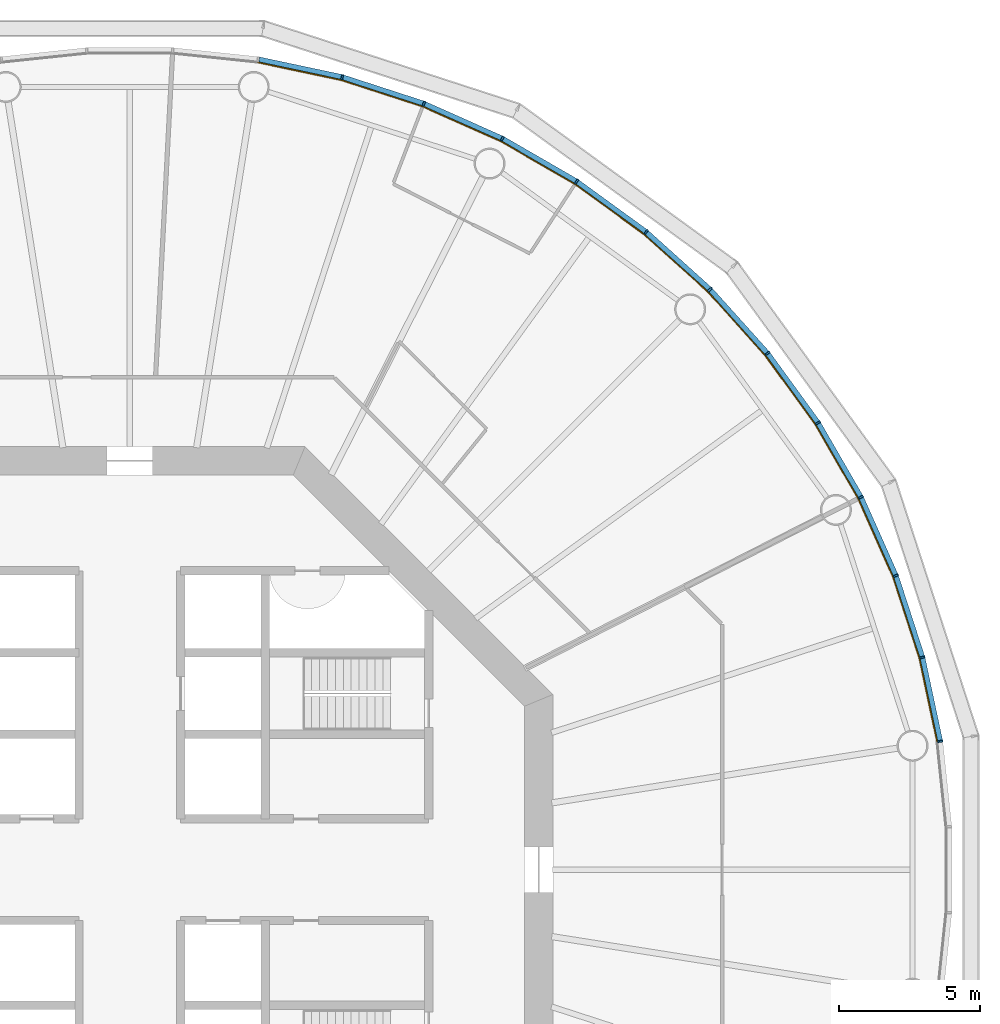
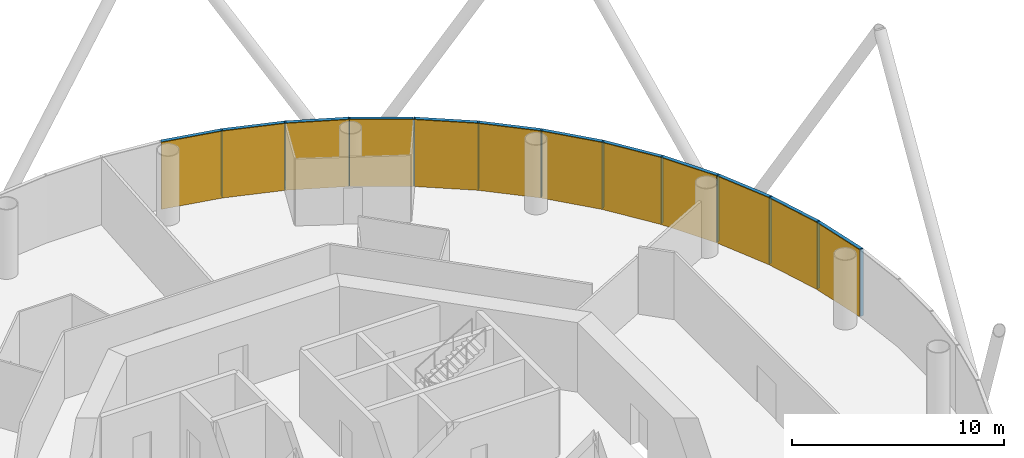
# One storey, part 12 of 13: 24 members, 4 curtain walls.
"""IFC4 building model written with IfcOpenShell, lengths in metres."""

from ifc_helpers import new_model, si_unit, direction, frame, origin, origin_2d, place, context, subcontext, project, spatial, polyline, rectangle, outline, extrude, material, layer, layer_set, material_profile, profile_set, type_object, element, aggregate, save


model = new_model("IFC4")

# Units and contexts
model_context = context("Model", 3, precision=1e-05, world=origin(), true_north=direction((0.0, 1.0)))
body_context = subcontext(model_context, "Body", "Model", "MODEL_VIEW")
ifc_project = project(units=[si_unit("LENGTHUNIT", "METRE"), si_unit("AREAUNIT", "SQUARE_METRE"), si_unit("VOLUMEUNIT", "CUBIC_METRE"), si_unit("PLANEANGLEUNIT", "RADIAN"), si_unit("MASSUNIT", "GRAM", prefix="KILO")], contexts=[model_context])

# Member
ifc_material_1 = material(Name="Anodised aluminium", Category="aluminium")
ifc_material_profile_1 = material_profile(ifc_material_1, rectangle(XDim=0.06494140625, YDim=0.18505859375, at=origin_2d()), Name="Mullion 65 x 185 mm anodised aluminium")
ifc_profile_set_1 = profile_set([ifc_material_profile_1], Name="Anodised aluminium")
member_type_1 = type_object("IfcMemberType", Name="Mullion 65 x 185 mm anodised aluminium", PredefinedType="MULLION", material=ifc_profile_set_1)
site_placement = place(None, origin())
building_placement = place(site_placement, origin())
storey_placement = place(building_placement, frame((0.0, 0.0, 164.0)))
member_1_placement = place(storey_placement, frame((118.734375, 84.551025390625, 0.0), z_axis=(0.0, 0.0, 1.0), x_axis=(-0.15643446504, 0.987688340595, 0.0)))
member_1 = element("IfcMember", 1, at=member_1_placement, type_object=member_type_1, Name="MULLION L37-00", PredefinedType="MULLION", context=body_context, shape_type="SweptSolid", body=[
    extrude(rectangle(XDim=0.06494140625, YDim=0.18505859375, at=origin_2d()), origin(), (0.0, 0.0, 1.0), 3.85009765625),
])

member_2_placement = place(storey_placement, frame((118.101318359375, 87.52978515625, 0.0), z_axis=(0.0, 0.0, 1.0), x_axis=(-0.258819045103, 0.965925826289, 0.0)))
member_2 = element("IfcMember", 2, at=member_2_placement, type_object=member_type_1, Name="MULLION L37-01", PredefinedType="MULLION", context=body_context, shape_type="SweptSolid", body=[
    extrude(rectangle(XDim=0.06494140625, YDim=0.18505859375, at=origin_2d()), origin(), (0.0, 0.0, 1.0), 3.85009765625),
])

member_3_placement = place(storey_placement, frame((117.16015625, 90.42578125, 0.0), z_axis=(0.0, 0.0, 1.0), x_axis=(-0.358367949545, 0.933580426497, 0.0)))
member_3 = element("IfcMember", 3, at=member_3_placement, type_object=member_type_1, Name="MULLION L37-02", PredefinedType="MULLION", context=body_context, shape_type="SweptSolid", body=[
    extrude(rectangle(XDim=0.06494140625, YDim=0.18505859375, at=origin_2d()), origin(), (0.0, 0.0, 1.0), 3.85009765625),
])

member_4_placement = place(storey_placement, frame((115.921630859375, 93.207763671875, 0.0), z_axis=(0.0, 0.0, 1.0), x_axis=(-0.45399049974, 0.891006524188, 0.0)))
member_4 = element("IfcMember", 4, at=member_4_placement, type_object=member_type_1, Name="MULLION L37-03", PredefinedType="MULLION", context=body_context, shape_type="SweptSolid", body=[
    extrude(rectangle(XDim=0.06494140625, YDim=0.18505859375, at=origin_2d()), origin(), (0.0, 0.0, 1.0), 3.85009765625),
])

member_5_placement = place(storey_placement, frame((114.39892578125, 95.844970703125, 0.0), z_axis=(0.0, 0.0, 1.0), x_axis=(-0.544639035015, 0.838670567945, 0.0)))
member_5 = element("IfcMember", 5, at=member_5_placement, type_object=member_type_1, Name="MULLION L37-04", PredefinedType="MULLION", context=body_context, shape_type="SweptSolid", body=[
    extrude(rectangle(XDim=0.06494140625, YDim=0.18505859375, at=origin_2d()), origin(), (0.0, 0.0, 1.0), 3.85009765625),
])

member_6_placement = place(storey_placement, frame((112.609130859375, 98.30859375, 0.0), z_axis=(0.0, 0.0, 1.0), x_axis=(-0.62932039105, 0.777145961457, 0.0)))
member_6 = element("IfcMember", 6, at=member_6_placement, type_object=member_type_1, Name="MULLION L37-05", PredefinedType="MULLION", context=body_context, shape_type="SweptSolid", body=[
    extrude(rectangle(XDim=0.06494140625, YDim=0.18505859375, at=origin_2d()), origin(), (0.0, 0.0, 1.0), 3.85009765625),
])

member_7_placement = place(storey_placement, frame((110.571533203125, 100.571533203125, 0.0), z_axis=(0.0, 0.0, 1.0), x_axis=(-0.707106781187, 0.707106781187, 0.0)))
member_7 = element("IfcMember", 7, at=member_7_placement, type_object=member_type_1, Name="MULLION L37-06", PredefinedType="MULLION", context=body_context, shape_type="SweptSolid", body=[
    extrude(rectangle(XDim=0.06494140625, YDim=0.18505859375, at=origin_2d()), origin(), (0.0, 0.0, 1.0), 3.85009765625),
])

member_8_placement = place(storey_placement, frame((108.30859375, 102.609130859375, 0.0), z_axis=(0.0, 0.0, 1.0), x_axis=(-0.777145961457, 0.62932039105, 0.0)))
member_8 = element("IfcMember", 8, at=member_8_placement, type_object=member_type_1, Name="MULLION L37-07", PredefinedType="MULLION", context=body_context, shape_type="SweptSolid", body=[
    extrude(rectangle(XDim=0.06494140625, YDim=0.18505859375, at=origin_2d()), origin(), (0.0, 0.0, 1.0), 3.85009765625),
])

member_9_placement = place(storey_placement, frame((105.844970703125, 104.39892578125, 0.0), z_axis=(0.0, 0.0, 1.0), x_axis=(-0.838670567945, 0.544639035015, 0.0)))
member_9 = element("IfcMember", 9, at=member_9_placement, type_object=member_type_1, Name="MULLION L37-08", PredefinedType="MULLION", context=body_context, shape_type="SweptSolid", body=[
    extrude(rectangle(XDim=0.06494140625, YDim=0.18505859375, at=origin_2d()), origin(), (0.0, 0.0, 1.0), 3.85009765625),
])

member_10_placement = place(storey_placement, frame((103.207763671875, 105.921630859375, 0.0), z_axis=(0.0, 0.0, 1.0), x_axis=(-0.891006524188, 0.45399049974, 0.0)))
member_10 = element("IfcMember", 10, at=member_10_placement, type_object=member_type_1, Name="MULLION L37-09", PredefinedType="MULLION", context=body_context, shape_type="SweptSolid", body=[
    extrude(rectangle(XDim=0.06494140625, YDim=0.18505859375, at=origin_2d()), origin(), (0.0, 0.0, 1.0), 3.85009765625),
])

member_11_placement = place(storey_placement, frame((100.42578125, 107.16015625, 0.0), z_axis=(0.0, 0.0, 1.0), x_axis=(-0.933580426497, 0.358367949545, 0.0)))
member_11 = element("IfcMember", 11, at=member_11_placement, type_object=member_type_1, Name="MULLION L37-10", PredefinedType="MULLION", context=body_context, shape_type="SweptSolid", body=[
    extrude(rectangle(XDim=0.06494140625, YDim=0.18505859375, at=origin_2d()), origin(), (0.0, 0.0, 1.0), 3.85009765625),
])

member_12_placement = place(storey_placement, frame((97.52978515625, 108.101318359375, 0.0), z_axis=(0.0, 0.0, 1.0), x_axis=(-0.965925826289, 0.258819045103, 0.0)))
member_12 = element("IfcMember", 12, at=member_12_placement, type_object=member_type_1, Name="MULLION L37-11", PredefinedType="MULLION", context=body_context, shape_type="SweptSolid", body=[
    extrude(rectangle(XDim=0.06494140625, YDim=0.18505859375, at=origin_2d()), origin(), (0.0, 0.0, 1.0), 3.85009765625),
])

ifc_material_2 = material(Name="Anodised aluminium", Category="aluminium")
ifc_material_profile_2 = material_profile(ifc_material_2, rectangle(XDim=0.18505859375, YDim=0.175048828125, at=origin_2d()), Name="Transom 175 x 185 mm anodised aluminium")
ifc_profile_set_2 = profile_set([ifc_material_profile_2], Name="Anodised aluminium")
member_type_2 = type_object("IfcMemberType", Name="Transom 175 x 185 mm anodised aluminium", PredefinedType="USERDEFINED", material=ifc_profile_set_2)
member_13_placement = place(storey_placement, frame((118.7265625, 84.587646484375, 3.762451171875), z_axis=(-0.207861704825, 0.97815822425, 0.0), x_axis=(-0.97815822425, -0.207861704825, 0.0)))
member_13 = element("IfcMember", 13, at=member_13_placement, type_object=member_type_2, Name="TRANSOM L37-00", ObjectType="TRANSOM", PredefinedType="USERDEFINED", context=body_context, shape_type="SweptSolid", body=[
    extrude(rectangle(XDim=0.18505859375, YDim=0.175048828125, at=origin_2d()), origin(), (0.0, 0.0, 1.0), 2.970458984375),
])

member_14_placement = place(storey_placement, frame((118.08984375, 87.565185546875, 3.762451171875), z_axis=(-0.30901917063, 0.951055809184, 0.0), x_axis=(-0.951055809184, -0.30901917063, 0.0)))
member_14 = element("IfcMember", 14, at=member_14_placement, type_object=member_type_2, Name="TRANSOM L37-01", ObjectType="TRANSOM", PredefinedType="USERDEFINED", context=body_context, shape_type="SweptSolid", body=[
    extrude(rectangle(XDim=0.18505859375, YDim=0.175048828125, at=origin_2d()), origin(), (0.0, 0.0, 1.0), 2.970703125),
])

member_15_placement = place(storey_placement, frame((117.14501953125, 90.4599609375, 3.762451171875), z_axis=(-0.406687471156, 0.913567348806, 0.0), x_axis=(-0.913567348806, -0.406687471156, 0.0)))
member_15 = element("IfcMember", 15, at=member_15_placement, type_object=member_type_2, Name="TRANSOM L37-02", ObjectType="TRANSOM", PredefinedType="USERDEFINED", context=body_context, shape_type="SweptSolid", body=[
    extrude(rectangle(XDim=0.18505859375, YDim=0.175048828125, at=origin_2d()), origin(), (0.0, 0.0, 1.0), 2.970458984375),
])

member_16_placement = place(storey_placement, frame((115.903076171875, 93.240234375, 3.762451171875), z_axis=(-0.500028367561, 0.866009025146, 0.0), x_axis=(-0.866009025146, -0.500028367561, 0.0)))
member_16 = element("IfcMember", 16, at=member_16_placement, type_object=member_type_2, Name="TRANSOM L37-03", ObjectType="TRANSOM", PredefinedType="USERDEFINED", context=body_context, shape_type="SweptSolid", body=[
    extrude(rectangle(XDim=0.18505859375, YDim=0.175048828125, at=origin_2d()), origin(), (0.0, 0.0, 1.0), 2.970458984375),
])

member_17_placement = place(storey_placement, frame((114.377197265625, 95.875244140625, 3.762451171875), z_axis=(-0.587819781808, 0.808991906087, 0.0), x_axis=(-0.808991906087, -0.587819781808, 0.0)))
member_17 = element("IfcMember", 17, at=member_17_placement, type_object=member_type_2, Name="TRANSOM L37-04", ObjectType="TRANSOM", PredefinedType="USERDEFINED", context=body_context, shape_type="SweptSolid", body=[
    extrude(rectangle(XDim=0.18505859375, YDim=0.175048828125, at=origin_2d()), origin(), (0.0, 0.0, 1.0), 2.970458984375),
])

member_18_placement = place(storey_placement, frame((112.584228515625, 98.33642578125, 3.762451171875), z_axis=(-0.669110027395, 0.743163354343, 0.0), x_axis=(-0.743163354343, -0.669110027395, 0.0)))
member_18 = element("IfcMember", 18, at=member_18_placement, type_object=member_type_2, Name="TRANSOM L37-05", ObjectType="TRANSOM", PredefinedType="USERDEFINED", context=body_context, shape_type="SweptSolid", body=[
    extrude(rectangle(XDim=0.18505859375, YDim=0.175048828125, at=origin_2d()), origin(), (0.0, 0.0, 1.0), 2.970458984375),
])

member_19_placement = place(storey_placement, frame((110.5439453125, 100.5966796875, 3.762451171875), z_axis=(-0.743163354343, 0.669110027395, 0.0), x_axis=(-0.669110027395, -0.743163354343, 0.0)))
member_19 = element("IfcMember", 19, at=member_19_placement, type_object=member_type_2, Name="TRANSOM L37-06", ObjectType="TRANSOM", PredefinedType="USERDEFINED", context=body_context, shape_type="SweptSolid", body=[
    extrude(rectangle(XDim=0.18505859375, YDim=0.175048828125, at=origin_2d()), origin(), (0.0, 0.0, 1.0), 2.970458984375),
])

member_20_placement = place(storey_placement, frame((108.2783203125, 102.631103515625, 3.762451171875), z_axis=(-0.808991906087, 0.587819781808, 0.0), x_axis=(-0.587819781808, -0.808991906087, 0.0)))
member_20 = element("IfcMember", 20, at=member_20_placement, type_object=member_type_2, Name="TRANSOM L37-07", ObjectType="TRANSOM", PredefinedType="USERDEFINED", context=body_context, shape_type="SweptSolid", body=[
    extrude(rectangle(XDim=0.18505859375, YDim=0.175048828125, at=origin_2d()), origin(), (0.0, 0.0, 1.0), 2.970458984375),
])

member_21_placement = place(storey_placement, frame((105.812744140625, 104.417724609375, 3.762451171875), z_axis=(-0.866009025146, 0.500028367561, 0.0), x_axis=(-0.500028367561, -0.866009025146, 0.0)))
member_21 = element("IfcMember", 21, at=member_21_placement, type_object=member_type_2, Name="TRANSOM L37-08", ObjectType="TRANSOM", PredefinedType="USERDEFINED", context=body_context, shape_type="SweptSolid", body=[
    extrude(rectangle(XDim=0.18505859375, YDim=0.175048828125, at=origin_2d()), origin(), (0.0, 0.0, 1.0), 2.970458984375),
])

member_22_placement = place(storey_placement, frame((103.173583984375, 105.93701171875, 3.762451171875), z_axis=(-0.913567348806, 0.406687471156, 0.0), x_axis=(-0.406687471156, -0.913567348806, 0.0)))
member_22 = element("IfcMember", 22, at=member_22_placement, type_object=member_type_2, Name="TRANSOM L37-09", ObjectType="TRANSOM", PredefinedType="USERDEFINED", context=body_context, shape_type="SweptSolid", body=[
    extrude(rectangle(XDim=0.18505859375, YDim=0.175048828125, at=origin_2d()), origin(), (0.0, 0.0, 1.0), 2.970458984375),
])

member_23_placement = place(storey_placement, frame((100.390380859375, 107.171875, 3.762451171875), z_axis=(-0.951055809184, 0.30901917063, 0.0), x_axis=(-0.30901917063, -0.951055809184, 0.0)))
member_23 = element("IfcMember", 23, at=member_23_placement, type_object=member_type_2, Name="TRANSOM L37-10", ObjectType="TRANSOM", PredefinedType="USERDEFINED", context=body_context, shape_type="SweptSolid", body=[
    extrude(rectangle(XDim=0.18505859375, YDim=0.175048828125, at=origin_2d()), origin(), (0.0, 0.0, 1.0), 2.970703125),
])

member_24_placement = place(storey_placement, frame((97.4931640625, 108.109130859375, 3.762451171875), z_axis=(-0.97815822425, 0.207861704825, 0.0), x_axis=(-0.207861704825, -0.97815822425, 0.0)))
member_24 = element("IfcMember", 24, at=member_24_placement, type_object=member_type_2, Name="TRANSOM L37-11", ObjectType="TRANSOM", PredefinedType="USERDEFINED", context=body_context, shape_type="SweptSolid", body=[
    extrude(rectangle(XDim=0.18505859375, YDim=0.175048828125, at=origin_2d()), origin(), (0.0, 0.0, 1.0), 2.970458984375),
])

# Site, building, storey
site = spatial("IfcSite", under=ifc_project, at=site_placement, CompositionType="ELEMENT")
building = spatial("IfcBuilding", under=site, at=building_placement, Name="Entoto Ring Tower", CompositionType="ELEMENT")
storey = spatial("IfcBuildingStorey", under=building, at=storey_placement, Name="L37", CompositionType="ELEMENT", Elevation=164.0)

# Curtain wall
ifc_material_3 = material(Name="Clear low-iron glass", Category="glass")
ifc_layer = layer(ifc_material_3, 0.033935546875)
ifc_layer_set = layer_set([ifc_layer], Name="Clear low-iron glass")
curtain_wall_type = type_object("IfcCurtainWallType", Name="Curtain wall system CW3 glazing 34 mm", PredefinedType="NOTDEFINED", material=ifc_layer_set)
curtain_wall_1_placement = place(storey_placement, origin())
curtain_wall_1 = element("IfcCurtainWall", 25, at=curtain_wall_1_placement, inside=storey, type_object=curtain_wall_type, Name="CW3 L37-01", PredefinedType="NOTDEFINED", context=body_context, shape_type="SweptSolid", body=[
    extrude(outline(polyline([(118.64306640625, 84.53662109375), (118.011962890625, 87.505859375), (117.07373046875, 90.392578125), (115.839111328125, 93.165771484375), (115.808837890625, 93.150146484375), (117.0419921875, 90.38037109375), (117.97900390625, 87.496826171875), (118.609375, 84.53125), (118.64306640625, 84.53662109375)])), origin(), (0.0, 0.0, 1.0), 3.85009765625),
])

aggregate(curtain_wall_1, [member_1, member_2, member_3, member_13, member_14, member_15])

curtain_wall_2_placement = place(storey_placement, origin())
curtain_wall_2 = element("IfcCurtainWall", 26, at=curtain_wall_2_placement, inside=storey, type_object=curtain_wall_type, Name="CW3 L37-02", PredefinedType="NOTDEFINED", context=body_context, shape_type="SweptSolid", body=[
    extrude(outline(polyline([(115.839111328125, 93.165771484375), (114.321533203125, 95.79443359375), (112.537353515625, 98.250244140625), (110.506103515625, 100.506103515625), (110.48193359375, 100.48193359375), (112.5107421875, 98.228759765625), (114.29296875, 95.77587890625), (115.808837890625, 93.150146484375), (115.839111328125, 93.165771484375)])), origin(), (0.0, 0.0, 1.0), 3.85009765625),
])

aggregate(curtain_wall_2, [member_4, member_5, member_6, member_16, member_17, member_18])

curtain_wall_3_placement = place(storey_placement, origin())
curtain_wall_3 = element("IfcCurtainWall", 27, at=curtain_wall_3_placement, inside=storey, type_object=curtain_wall_type, Name="CW3 L37-03", PredefinedType="NOTDEFINED", context=body_context, shape_type="SweptSolid", body=[
    extrude(outline(polyline([(110.506103515625, 100.506103515625), (108.250244140625, 102.537353515625), (105.79443359375, 104.321533203125), (103.165771484375, 105.839111328125), (103.150146484375, 105.808837890625), (105.77587890625, 104.29296875), (108.228759765625, 102.5107421875), (110.48193359375, 100.48193359375), (110.506103515625, 100.506103515625)])), origin(), (0.0, 0.0, 1.0), 3.85009765625),
])

aggregate(curtain_wall_3, [member_7, member_8, member_9, member_19, member_20, member_21])

curtain_wall_4_placement = place(storey_placement, origin())
curtain_wall_4 = element("IfcCurtainWall", 28, at=curtain_wall_4_placement, inside=storey, type_object=curtain_wall_type, Name="CW3 L37-04", PredefinedType="NOTDEFINED", context=body_context, shape_type="SweptSolid", body=[
    extrude(outline(polyline([(103.165771484375, 105.839111328125), (100.392578125, 107.07373046875), (97.505859375, 108.011962890625), (94.53662109375, 108.64306640625), (94.53125, 108.609375), (97.496826171875, 107.97900390625), (100.38037109375, 107.0419921875), (103.150146484375, 105.808837890625), (103.165771484375, 105.839111328125)])), origin(), (0.0, 0.0, 1.0), 3.85009765625),
])

aggregate(curtain_wall_4, [member_10, member_11, member_12, member_22, member_23, member_24])

save(model, "model.ifc")
